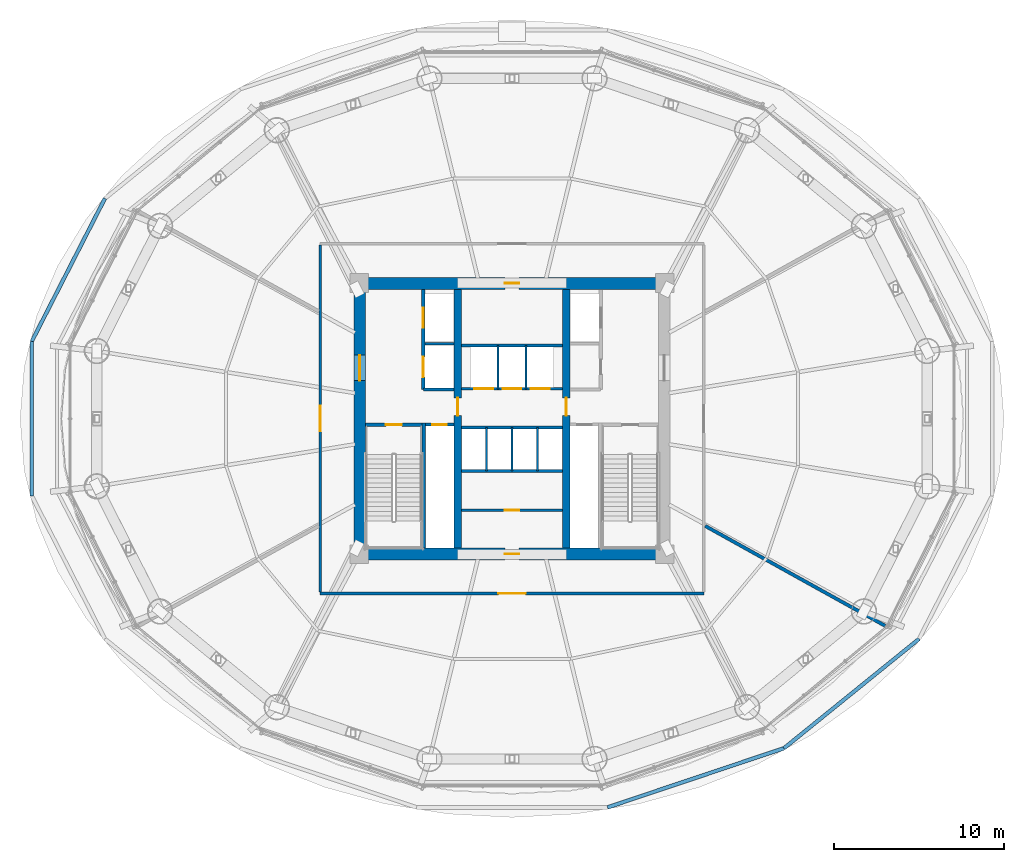
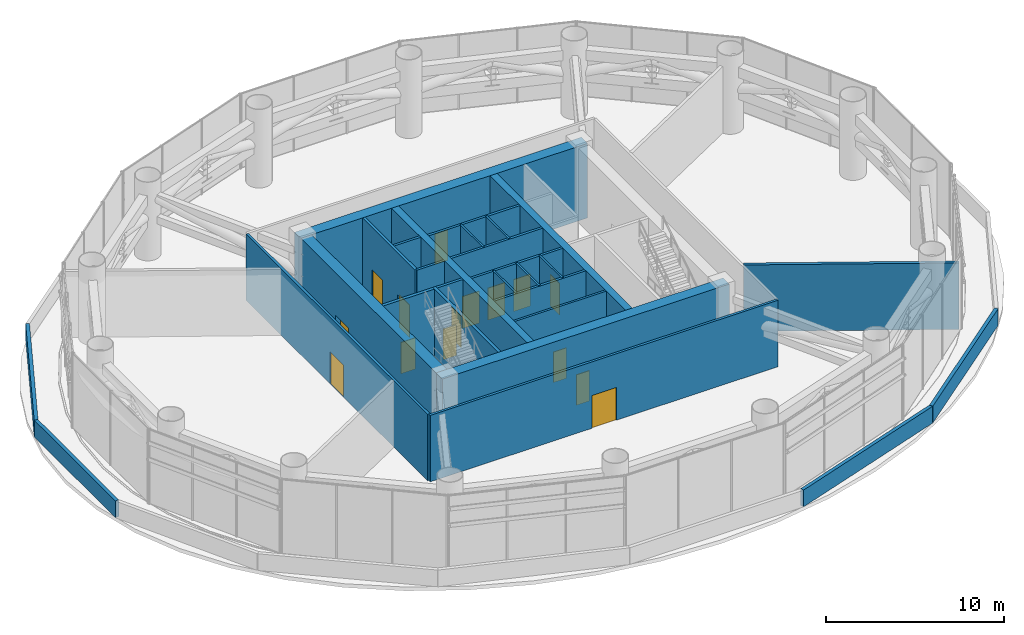
# One storey, part 28 of 33: 28 walls, 15 doors, 15 openings.
"""IFC4 building model written with IfcOpenShell, lengths in metres."""

from ifc_helpers import new_model, si_unit, direction, frame, frame_2d, origin, place, context, subcontext, project, spatial, rectangle, extrude, source, transform, mapped, material, layer, layer_set, type_object, element, fill, save


model = new_model("IFC4")

# Units and contexts
model_context = context("Model", 3, precision=1e-05, world=origin(), true_north=direction((-0.2419218956, 0.970295726276)))
body_context = subcontext(model_context, "Body", "Model", "MODEL_VIEW")
ifc_project = project(units=[si_unit("LENGTHUNIT", "METRE"), si_unit("AREAUNIT", "SQUARE_METRE"), si_unit("VOLUMEUNIT", "CUBIC_METRE"), si_unit("PLANEANGLEUNIT", "RADIAN"), si_unit("MASSUNIT", "GRAM", prefix="KILO")], contexts=[model_context])

# Site, building, storey
site_placement = place(None, origin())
site = spatial("IfcSite", under=ifc_project, at=site_placement, CompositionType="ELEMENT")
building_placement = place(site_placement, origin())
building = spatial("IfcBuilding", under=site, at=building_placement, Name="Cobrevalo Terracotta Tower", CompositionType="ELEMENT")
storey_placement = place(building_placement, frame((0.0, 0.0, 74.39990234375)))
storey = spatial("IfcBuildingStorey", under=building, at=storey_placement, Name="L19", CompositionType="ELEMENT", Elevation=74.39990234375)

# Wall, opening, door
ifc_material_1 = material(Name="Concrete C60", Category="concrete")
ifc_layer_1 = layer(ifc_material_1, 0.699951171875)
ifc_layer_set_1 = layer_set([ifc_layer_1], Name="Concrete C60")
wall_type_1 = type_object("IfcWallType", Name="Core shear wall 700 mm Concrete C60", PredefinedType="SHEAR", material=ifc_layer_set_1)
wall_1_placement = place(storey_placement, frame((28.675048828125, 18.824951171875, 0.0), z_axis=(0.0, 0.0, 1.0), x_axis=(1.0, 0.0, 0.0)))
wall_1 = element("IfcWall", 1, at=wall_1_placement, inside=storey, type_object=wall_type_1, Name="L19 south core shear wall", PredefinedType="SHEAR", context=body_context, shape_type="SweptSolid", body=[
    extrude(rectangle(XDim=18.64990234375, YDim=0.699951171875, at=frame_2d((9.324951171875, 0.0))), origin(), (0.0, 0.0, 1.0), 5.125),
])
opening_1_placement = place(wall_1_placement, frame((8.89990234375, 0.0, 0.0)))
opening_1 = element("IfcOpeningElement", 2, at=opening_1_placement, cuts=wall_1, Name="Opening ID-22", PredefinedType="OPENING", context=body_context, shape_type="SweptSolid", body=[
    extrude(rectangle(XDim=0.85009765625, YDim=2.10009765625, at=frame_2d((0.425048828125, 1.050048828125))), frame((0.0, 0.35986328125, 0.0), z_axis=(0.0, -1.0, 0.0), x_axis=(1.0, 0.0, 0.0)), (0.0, 0.0, 1.0), 0.719970703125),
])
ifc_material_2 = material(Name="Powder-coated steel", Category="steel")
door_type_1 = type_object("IfcDoorType", Name="Riser shaft & meter closet fire access door 850x2100 EI 60", OperationType="NOTDEFINED", PredefinedType="DOOR", material=ifc_material_2)
shared_shape_1 = source(origin(), body_context, "Body", "SweptSolid", [
    extrude(rectangle(XDim=0.85009765625, YDim=2.10009765625, at=frame_2d((0.425048828125, 1.050048828125))), frame((0.0, 0.02490234375, 0.0), z_axis=(0.0, -1.0, 0.0), x_axis=(1.0, 0.0, 0.0)), (0.0, 0.0, 1.0), 0.050048828125),
])
door_1_placement = place(opening_1_placement, origin())
door_1 = element("IfcDoor", 3, at=door_1_placement, inside=storey, type_object=door_type_1, Name="L19 core south plant door Smoke Extract Fan Plant", OperationType="SINGLE_SWING_RIGHT", OverallHeight=2.10009765625, OverallWidth=0.85009765625, PredefinedType="DOOR", context=body_context, shape_type="MappedRepresentation", body=[
    mapped(shared_shape_1, transform((0.0, 0.0, 0.0), scale=1.0)),
])
fill(opening_1, door_1)

wall_2_placement = place(storey_placement, frame((28.675048828125, 34.77490234375, 0.0), z_axis=(0.0, 0.0, 1.0), x_axis=(1.0, 0.0, 0.0)))
wall_2 = element("IfcWall", 4, at=wall_2_placement, inside=storey, type_object=wall_type_1, Name="L19 north core shear wall", PredefinedType="SHEAR", context=body_context, shape_type="SweptSolid", body=[
    extrude(rectangle(XDim=18.64990234375, YDim=0.699951171875, at=frame_2d((9.324951171875, 0.0))), origin(), (0.0, 0.0, 1.0), 5.125),
])
opening_2_placement = place(wall_2_placement, frame((8.89990234375, 0.0, 0.0)))
opening_2 = element("IfcOpeningElement", 5, at=opening_2_placement, cuts=wall_2, Name="Opening ID-22", PredefinedType="OPENING", context=body_context, shape_type="SweptSolid", body=[
    extrude(rectangle(XDim=0.85009765625, YDim=2.10009765625, at=frame_2d((0.425048828125, 1.050048828125))), frame((0.0, 0.35986328125, 0.0), z_axis=(0.0, -1.0, 0.0), x_axis=(1.0, 0.0, 0.0)), (0.0, 0.0, 1.0), 0.719970703125),
])
door_2_placement = place(opening_2_placement, frame((0.85009765625, 0.0, 0.0), z_axis=(0.0, 0.0, 1.0), x_axis=(-1.0, 0.0, 0.0)))
door_2 = element("IfcDoor", 6, at=door_2_placement, inside=storey, type_object=door_type_1, Name="L19 core north service door Floor Electrical Switchroom", OperationType="SINGLE_SWING_LEFT", OverallHeight=2.10009765625, OverallWidth=0.85009765625, PredefinedType="DOOR", context=body_context, shape_type="MappedRepresentation", body=[
    mapped(shared_shape_1, transform((0.0, 0.0, 0.0), scale=1.0)),
])
fill(opening_2, door_2)

wall_3_placement = place(storey_placement, frame((29.02490234375, 19.175048828125, 0.0), z_axis=(0.0, 0.0, 1.0), x_axis=(0.0, 1.0, 0.0)))
wall_3 = element("IfcWall", 7, at=wall_3_placement, inside=storey, type_object=wall_type_1, Name="L19 west core shear wall", PredefinedType="SHEAR", context=body_context, shape_type="SweptSolid", body=[
    extrude(rectangle(XDim=15.25, YDim=0.699951171875, at=frame_2d((7.625, 0.0))), origin(), (0.0, 0.0, 1.0), 5.125),
])
opening_3_placement = place(wall_3_placement, frame((9.875, 0.0, 0.0)))
opening_3 = element("IfcOpeningElement", 8, at=opening_3_placement, cuts=wall_3, Name="Opening ID-14", PredefinedType="OPENING", context=body_context, shape_type="SweptSolid", body=[
    extrude(rectangle(XDim=1.5, YDim=2.199951171875, at=frame_2d((0.75, 1.10009765625))), frame((0.0, 0.35986328125, 0.0), z_axis=(0.0, -1.0, 0.0), x_axis=(1.0, 0.0, 0.0)), (0.0, 0.0, 1.0), 0.719970703125),
])
ifc_material_3 = material(Name="Galvanized fire-rated steel", Category="steel")
door_type_2 = type_object("IfcDoorType", Name="Core cross-lobby double fire door 1500x2200 EI 90", OperationType="NOTDEFINED", PredefinedType="DOOR", material=ifc_material_3)
shared_shape_2 = source(origin(), body_context, "Body", "SweptSolid", [
    extrude(rectangle(XDim=1.5, YDim=2.199951171875, at=frame_2d((0.75, 1.10009765625))), frame((0.0, 0.02490234375, 0.0), z_axis=(0.0, -1.0, 0.0), x_axis=(1.0, 0.0, 0.0)), (0.0, 0.0, 1.0), 0.050048828125),
])
door_3_placement = place(opening_3_placement, origin())
door_3 = element("IfcDoor", 9, at=door_3_placement, inside=storey, type_object=door_type_2, Name="L19 west firefighting lobby entrance door", OperationType="DOUBLE_DOOR_SINGLE_SWING", OverallHeight=2.199951171875, OverallWidth=1.5, PredefinedType="DOOR", context=body_context, shape_type="MappedRepresentation", body=[
    mapped(shared_shape_2, transform((0.0, 0.0, 0.0), scale=1.0)),
])
fill(opening_3, door_3)

# Walls
ifc_material_4 = material(Name="Gypsum board on steel stud", Category="steel")
ifc_layer_2 = layer(ifc_material_4, 0.159912109375)
ifc_layer_set_2 = layer_set([ifc_layer_2], Name="Gypsum board on steel stud")
wall_type_2 = type_object("IfcWallType", Name="Fire-rated corridor acoustic partition wall 160 mm", PredefinedType="PARTITIONING", material=ifc_layer_set_2)
wall_4_placement = place(storey_placement, frame((32.860107421875, 31.219970703125, 0.0), z_axis=(0.0, 0.0, 1.0), x_axis=(1.0, 0.0, 0.0)))
element("IfcWall", 10, at=wall_4_placement, inside=storey, type_object=wall_type_2, Name="L19 interior partition IW-L19-FF1-M", PredefinedType="PARTITIONING", context=body_context, shape_type="SweptSolid", body=[
    extrude(rectangle(XDim=1.71484375, YDim=0.159912109375, at=frame_2d((0.857421875, 0.0))), origin(), (0.0, 0.0, 1.0), 5.125),
])
wall_5_placement = place(storey_placement, frame((32.77001953125, 28.52001953125, 0.0), z_axis=(0.0, 0.0, 1.0), x_axis=(1.0, 0.0, 0.0)))
element("IfcWall", 11, at=wall_5_placement, inside=storey, type_object=wall_type_2, Name="L19 interior partition IW-L19-FF1-S", PredefinedType="PARTITIONING", context=body_context, shape_type="SweptSolid", body=[
    extrude(rectangle(XDim=1.804931640625, YDim=0.159912109375, at=frame_2d((0.90234375, 0.0))), origin(), (0.0, 0.0, 1.0), 5.125),
])

# Wall, openings, doors
wall_6_placement = place(storey_placement, frame((35.02490234375, 28.56005859375, 0.0), z_axis=(0.0, 0.0, 1.0), x_axis=(1.0, 0.0, 0.0)))
wall_6 = element("IfcWall", 12, at=wall_6_placement, inside=storey, type_object=wall_type_2, Name="L19 interior partition IW-L19-LB-S", PredefinedType="PARTITIONING", context=body_context, shape_type="SweptSolid", body=[
    extrude(rectangle(XDim=5.9501953125, YDim=0.159912109375, at=frame_2d((2.97509765625, 0.0))), origin(), (0.0, 0.0, 1.0), 5.125),
])
opening_4_placement = place(wall_6_placement, frame((0.760009765625, 0.0, 0.0)))
opening_4 = element("IfcOpeningElement", 13, at=opening_4_placement, cuts=wall_6, Name="Opening LD-01", PredefinedType="OPENING", context=body_context, shape_type="SweptSolid", body=[
    extrude(rectangle(XDim=1.10009765625, YDim=2.199951171875, at=frame_2d((0.550048828125, 1.10009765625))), frame((0.0, 0.08984375, 0.0), z_axis=(0.0, -1.0, 0.0), x_axis=(1.0, 0.0, 0.0)), (0.0, 0.0, 1.0), 0.179931640625),
])
opening_5_placement = place(wall_6_placement, frame((2.425048828125, 0.0, 0.0)))
opening_5 = element("IfcOpeningElement", 14, at=opening_5_placement, cuts=wall_6, Name="Opening LD-01", PredefinedType="OPENING", context=body_context, shape_type="SweptSolid", body=[
    extrude(rectangle(XDim=1.10009765625, YDim=2.199951171875, at=frame_2d((0.550048828125, 1.10009765625))), frame((0.0, 0.08984375, 0.0), z_axis=(0.0, -1.0, 0.0), x_axis=(1.0, 0.0, 0.0)), (0.0, 0.0, 1.0), 0.179931640625),
])
opening_6_placement = place(wall_6_placement, frame((4.090087890625, 0.0, 0.0)))
opening_6 = element("IfcOpeningElement", 15, at=opening_6_placement, cuts=wall_6, Name="Opening LD-01", PredefinedType="OPENING", context=body_context, shape_type="SweptSolid", body=[
    extrude(rectangle(XDim=1.10009765625, YDim=2.199951171875, at=frame_2d((0.550048828125, 1.10009765625))), frame((0.0, 0.08984375, 0.0), z_axis=(0.0, -1.0, 0.0), x_axis=(1.0, 0.0, 0.0)), (0.0, 0.0, 1.0), 0.179931640625),
])
ifc_material_5 = material(Name="Brushed stainless steel", Category="steel")
door_type_3 = type_object("IfcDoorType", Name="Passenger lift landing bi-parting sliding door 1100x2200 EI 90", OperationType="DOUBLE_DOOR_SLIDING", PredefinedType="DOOR", material=ifc_material_5)
shared_shape_3 = source(origin(), body_context, "Body", "SweptSolid", [
    extrude(rectangle(XDim=1.10009765625, YDim=2.199951171875, at=frame_2d((0.550048828125, 1.10009765625))), frame((0.0, 0.02490234375, 0.0), z_axis=(0.0, -1.0, 0.0), x_axis=(1.0, 0.0, 0.0)), (0.0, 0.0, 1.0), 0.050048828125),
])
door_4_placement = place(opening_4_placement, origin())
door_4 = element("IfcDoor", 16, at=door_4_placement, inside=storey, type_object=door_type_3, Name="L19 lift landing door PL-L1", OperationType="DOUBLE_DOOR_SLIDING", OverallHeight=2.199951171875, OverallWidth=1.10009765625, PredefinedType="DOOR", context=body_context, shape_type="MappedRepresentation", body=[
    mapped(shared_shape_3, transform((0.0, 0.0, 0.0), scale=1.0)),
])
fill(opening_4, door_4)
door_5_placement = place(opening_5_placement, origin())
door_5 = element("IfcDoor", 17, at=door_5_placement, inside=storey, type_object=door_type_3, Name="L19 lift landing door PL-L2", OperationType="DOUBLE_DOOR_SLIDING", OverallHeight=2.199951171875, OverallWidth=1.10009765625, PredefinedType="DOOR", context=body_context, shape_type="MappedRepresentation", body=[
    mapped(shared_shape_3, transform((0.0, 0.0, 0.0), scale=1.0)),
])
fill(opening_5, door_5)
door_6_placement = place(opening_6_placement, origin())
door_6 = element("IfcDoor", 18, at=door_6_placement, inside=storey, type_object=door_type_3, Name="L19 lift landing door PL-L3", OperationType="DOUBLE_DOOR_SLIDING", OverallHeight=2.199951171875, OverallWidth=1.10009765625, PredefinedType="DOOR", context=body_context, shape_type="MappedRepresentation", body=[
    mapped(shared_shape_3, transform((0.0, 0.0, 0.0), scale=1.0)),
])
fill(opening_6, door_6)

# Walls
for number, where, z_axis, x_axis, name in (
    (19, (35.02490234375, 31.1201171875, 0.0), (0.0, 0.0, 1.0), (1.0, 0.0, 0.0), "L19 interior partition IW-L19-LB-N"),
    (20, (35.02490234375, 26.280029296875, 0.0), (0.0, 0.0, 1.0), (1.0, 0.0, 0.0), "L19 interior partition IW-L19-MB-N"),
    (21, (35.02490234375, 23.719970703125, 0.0), (0.0, 0.0, 1.0), (1.0, 0.0, 0.0), "L19 interior partition IW-L19-MB-S"),
):
    element("IfcWall", number, at=place(storey_placement, frame(where, z_axis=z_axis, x_axis=x_axis)), inside=storey, type_object=wall_type_2, Name=name, PredefinedType="PARTITIONING", context=body_context, shape_type="SweptSolid", body=[
        extrude(rectangle(XDim=5.9501953125, YDim=0.159912109375, at=frame_2d((2.97509765625, 0.0))), origin(), (0.0, 0.0, 1.0), 5.125),
    ])

# Wall, opening, door
wall_7_placement = place(storey_placement, frame((26.695068359375, 16.4951171875, 0.0), z_axis=(0.0, 0.0, 1.0), x_axis=(1.0, 0.0, 0.0)))
wall_7 = element("IfcWall", 22, at=wall_7_placement, inside=storey, type_object=wall_type_2, Name="L19 interior partition IW-L19-COR-S", PredefinedType="PARTITIONING", context=body_context, shape_type="SweptSolid", body=[
    extrude(rectangle(XDim=22.60986328125, YDim=0.159912109375, at=frame_2d((11.304931640625, 0.0))), origin(), (0.0, 0.0, 1.0), 4.567138671875),
])
opening_7_placement = place(wall_7_placement, frame((10.5048828125, 0.0, 0.0)))
opening_7 = element("IfcOpeningElement", 23, at=opening_7_placement, cuts=wall_7, Name="Opening ID-06", PredefinedType="OPENING", context=body_context, shape_type="SweptSolid", body=[
    extrude(rectangle(XDim=1.60009765625, YDim=2.25, at=frame_2d((0.800048828125, 1.125))), frame((0.0, 0.08984375, 0.0), z_axis=(0.0, -1.0, 0.0), x_axis=(1.0, 0.0, 0.0)), (0.0, 0.0, 1.0), 0.179931640625),
])
door_type_4 = type_object("IfcDoorType", Name="Plant & mechanical room double fire door 1600x2250 EI 90", OperationType="NOTDEFINED", PredefinedType="DOOR", material=ifc_material_3)
shared_shape_4 = source(origin(), body_context, "Body", "SweptSolid", [
    extrude(rectangle(XDim=1.60009765625, YDim=2.25, at=frame_2d((0.800048828125, 1.125))), frame((0.0, 0.02490234375, 0.0), z_axis=(0.0, -1.0, 0.0), x_axis=(1.0, 0.0, 0.0)), (0.0, 0.0, 1.0), 0.050048828125),
])
door_7_placement = place(opening_7_placement, origin())
door_7 = element("IfcDoor", 24, at=door_7_placement, inside=storey, type_object=door_type_4, Name="L19 Belt-Truss AHU Plant Room South door", OperationType="DOUBLE_DOOR_SINGLE_SWING", OverallHeight=2.25, OverallWidth=1.60009765625, PredefinedType="DOOR", context=body_context, shape_type="MappedRepresentation", body=[
    mapped(shared_shape_4, transform((0.0, 0.0, 0.0), scale=1.0)),
])
fill(opening_7, door_7)

wall_8_placement = place(storey_placement, frame((26.695068359375, 16.574951171875, 0.0), z_axis=(0.0, 0.0, 1.0), x_axis=(0.0, 1.0, 0.0)))
wall_8 = element("IfcWall", 25, at=wall_8_placement, inside=storey, type_object=wall_type_2, Name="L19 interior partition IW-L19-COR-W", PredefinedType="PARTITIONING", context=body_context, shape_type="SweptSolid", body=[
    extrude(rectangle(XDim=20.449951171875, YDim=0.159912109375, at=frame_2d((10.22509765625, 0.0))), origin(), (0.0, 0.0, 1.0), 4.567138671875),
])
opening_8_placement = place(wall_8_placement, frame((9.47509765625, 0.0, 0.0)))
opening_8 = element("IfcOpeningElement", 26, at=opening_8_placement, cuts=wall_8, Name="Opening ID-14", PredefinedType="OPENING", context=body_context, shape_type="SweptSolid", body=[
    extrude(rectangle(XDim=1.5, YDim=2.199951171875, at=frame_2d((0.75, 1.10009765625))), frame((0.0, 0.08984375, 0.0), z_axis=(0.0, -1.0, 0.0), x_axis=(1.0, 0.0, 0.0)), (0.0, 0.0, 1.0), 0.179931640625),
])
door_8_placement = place(opening_8_placement, frame((1.5, 0.0, 0.0), z_axis=(0.0, 0.0, 1.0), x_axis=(-1.0, 0.0, 0.0)))
door_8 = element("IfcDoor", 27, at=door_8_placement, inside=storey, type_object=door_type_2, Name="L19 Pressurized Fire Refuge Area door", OperationType="DOUBLE_DOOR_SINGLE_SWING", OverallHeight=2.199951171875, OverallWidth=1.5, PredefinedType="DOOR", context=body_context, shape_type="MappedRepresentation", body=[
    mapped(shared_shape_2, transform((0.0, 0.0, 0.0), scale=1.0)),
])
fill(opening_8, door_8)

ifc_layer_3 = layer(ifc_material_4, 0.179931640625)
ifc_layer_set_3 = layer_set([ifc_layer_3], Name="Gypsum board on steel stud")
wall_type_3 = type_object("IfcWallType", Name="Fire-rated shaft & lobby acoustic partition wall 180 mm", PredefinedType="PARTITIONING", material=ifc_layer_set_3)
wall_9_placement = place(storey_placement, frame((32.89990234375, 26.449951171875, 0.0), z_axis=(0.0, 0.0, 1.0), x_axis=(1.0, 0.0, 0.0)))
wall_9 = element("IfcWall", 28, at=wall_9_placement, inside=storey, type_object=wall_type_3, Name="L19 interior partition IW-L19-RSW-N", PredefinedType="PARTITIONING", context=body_context, shape_type="SweptSolid", body=[
    extrude(rectangle(XDim=1.675048828125, YDim=0.179931640625, at=frame_2d((0.83740234375, 0.0))), origin(), (0.0, 0.0, 1.0), 5.125),
])
opening_9_placement = place(wall_9_placement, frame((0.41259765625, 0.0, 0.0)))
opening_9 = element("IfcOpeningElement", 29, at=opening_9_placement, cuts=wall_9, Name="Opening ID-22", PredefinedType="OPENING", context=body_context, shape_type="SweptSolid", body=[
    extrude(rectangle(XDim=0.85009765625, YDim=2.10009765625, at=frame_2d((0.425048828125, 1.050048828125))), frame((0.0, 0.10009765625, 0.0), z_axis=(0.0, -1.0, 0.0), x_axis=(1.0, 0.0, 0.0)), (0.0, 0.0, 1.0), 0.199951171875),
])
door_9_placement = place(opening_9_placement, origin())
door_9 = element("IfcDoor", 30, at=door_9_placement, inside=storey, type_object=door_type_1, Name="L19 riser access door RSW", OperationType="SINGLE_SWING_LEFT", OverallHeight=2.10009765625, OverallWidth=0.85009765625, PredefinedType="DOOR", context=body_context, shape_type="MappedRepresentation", body=[
    mapped(shared_shape_1, transform((0.0, 0.0, 0.0), scale=1.0)),
])
fill(opening_9, door_9)

# Wall, openings, doors
wall_10_placement = place(storey_placement, frame((32.77001953125, 28.52001953125, 0.0), z_axis=(0.0, 0.0, 1.0), x_axis=(0.0, 1.0, 0.0)))
wall_10 = element("IfcWall", 31, at=wall_10_placement, inside=storey, type_object=wall_type_3, Name="L19 interior partition IW-L19-FF1-W", PredefinedType="PARTITIONING", context=body_context, shape_type="SweptSolid", body=[
    extrude(rectangle(XDim=5.905029296875, YDim=0.179931640625, at=frame_2d((2.95263671875, 0.0))), origin(), (0.0, 0.0, 1.0), 5.125),
])
opening_10_placement = place(wall_10_placement, frame((3.655029296875, 0.0, 0.0)))
opening_10 = element("IfcOpeningElement", 32, at=opening_10_placement, cuts=wall_10, Name="Opening LD-02", PredefinedType="OPENING", context=body_context, shape_type="SweptSolid", body=[
    extrude(rectangle(XDim=1.14990234375, YDim=2.199951171875, at=frame_2d((0.574951171875, 1.10009765625))), frame((0.0, 0.10009765625, 0.0), z_axis=(0.0, -1.0, 0.0), x_axis=(1.0, 0.0, 0.0)), (0.0, 0.0, 1.0), 0.199951171875),
])
opening_11_placement = place(wall_10_placement, frame((0.72998046875, 0.0, 0.0)))
opening_11 = element("IfcOpeningElement", 33, at=opening_11_placement, cuts=wall_10, Name="Opening LD-03", PredefinedType="OPENING", context=body_context, shape_type="SweptSolid", body=[
    extrude(rectangle(XDim=1.199951171875, YDim=2.25, at=frame_2d((0.60009765625, 1.125))), frame((0.0, 0.10009765625, 0.0), z_axis=(0.0, -1.0, 0.0), x_axis=(1.0, 0.0, 0.0)), (0.0, 0.0, 1.0), 0.199951171875),
])
door_type_5 = type_object("IfcDoorType", Name="Firefighting lift landing bi-parting sliding door 1150x2200 EI 120", OperationType="DOUBLE_DOOR_SLIDING", PredefinedType="DOOR", material=ifc_material_5)
shared_shape_5 = source(origin(), body_context, "Body", "SweptSolid", [
    extrude(rectangle(XDim=1.14990234375, YDim=2.199951171875, at=frame_2d((0.574951171875, 1.10009765625))), frame((0.0, 0.02490234375, 0.0), z_axis=(0.0, -1.0, 0.0), x_axis=(1.0, 0.0, 0.0)), (0.0, 0.0, 1.0), 0.050048828125),
])
door_10_placement = place(opening_10_placement, origin())
door_10 = element("IfcDoor", 34, at=door_10_placement, inside=storey, type_object=door_type_5, Name="L19 lift landing door FF-1", OperationType="DOUBLE_DOOR_SLIDING", OverallHeight=2.199951171875, OverallWidth=1.14990234375, PredefinedType="DOOR", context=body_context, shape_type="MappedRepresentation", body=[
    mapped(shared_shape_5, transform((0.0, 0.0, 0.0), scale=1.0)),
])
fill(opening_10, door_10)
door_type_6 = type_object("IfcDoorType", Name="Service lift landing bi-parting sliding door 1200x2250 EI 120", OperationType="DOUBLE_DOOR_SLIDING", PredefinedType="DOOR", material=ifc_material_5)
shared_shape_6 = source(origin(), body_context, "Body", "SweptSolid", [
    extrude(rectangle(XDim=1.199951171875, YDim=2.25, at=frame_2d((0.60009765625, 1.125))), frame((0.0, 0.02490234375, 0.0), z_axis=(0.0, -1.0, 0.0), x_axis=(1.0, 0.0, 0.0)), (0.0, 0.0, 1.0), 0.050048828125),
])
door_11_placement = place(opening_11_placement, origin())
door_11 = element("IfcDoor", 35, at=door_11_placement, inside=storey, type_object=door_type_6, Name="L19 lift landing door SV-1", OperationType="DOUBLE_DOOR_SLIDING", OverallHeight=2.25, OverallWidth=1.199951171875, PredefinedType="DOOR", context=body_context, shape_type="MappedRepresentation", body=[
    mapped(shared_shape_6, transform((0.0, 0.0, 0.0), scale=1.0)),
])
fill(opening_11, door_11)

# Walls
ifc_material_6 = material(Name="Autoclaved aerated concrete block", Category="concrete")
ifc_layer_4 = layer(ifc_material_6, 0.199951171875)
ifc_layer_set_4 = layer_set([ifc_layer_4], Name="Autoclaved aerated concrete block")
wall_type_4 = type_object("IfcWallType", Name="Fire-rated stair, shaft & demising masonry wall 200 mm", PredefinedType="PARTITIONING", material=ifc_layer_set_4)
wall_11_placement = place(storey_placement, frame((49.38671875, 20.478759765625, 0.0), z_axis=(0.0, 0.0, 1.0), x_axis=(0.874314722833, -0.48535941882, 0.0)))
element("IfcWall", 36, at=wall_11_placement, inside=storey, type_object=wall_type_4, Name="L19 interior partition IW-L19-PW3", PredefinedType="PARTITIONING", context=body_context, shape_type="SweptSolid", body=[
    extrude(rectangle(XDim=12.13818359375, YDim=0.199951171875, at=frame_2d((6.069091796875, 0.0))), origin(), (0.0, 0.0, 1.0), 4.567138671875),
])
ifc_layer_5 = layer(ifc_material_6, 0.1201171875)
ifc_layer_set_5 = layer_set([ifc_layer_5], Name="Autoclaved aerated concrete block")
wall_type_5 = type_object("IfcWallType", Name="Fire-rated wet-room & core service partition 120 mm", PredefinedType="PARTITIONING", material=ifc_layer_set_5)
for number, where, z_axis, x_axis, name in (
    (37, (37.169921875, 28.56005859375, 0.0), (0.0, 0.0, 1.0), (0.0, 1.0, 0.0), "L19 interior partition IW-L19-LB-D1"),
    (38, (38.830078125, 28.56005859375, 0.0), (0.0, 0.0, 1.0), (0.0, 1.0, 0.0), "L19 interior partition IW-L19-LB-D2"),
    (39, (36.5, 23.719970703125, 0.0), (0.0, 0.0, 1.0), (0.0, 1.0, 0.0), "L19 interior partition IW-L19-MB-D1"),
    (40, (39.5, 23.719970703125, 0.0), (0.0, 0.0, 1.0), (0.0, 1.0, 0.0), "L19 interior partition IW-L19-MB-D3"),
):
    element("IfcWall", number, at=place(storey_placement, frame(where, z_axis=z_axis, x_axis=x_axis)), inside=storey, type_object=wall_type_5, Name=name, PredefinedType="PARTITIONING", context=body_context, shape_type="SweptSolid", body=[
        extrude(rectangle(XDim=2.56005859375, YDim=0.1201171875, at=frame_2d((1.280029296875, 0.0))), origin(), (0.0, 0.0, 1.0), 5.125),
    ])

# Wall, opening, door
ifc_material_7 = material(Name="Concrete C55", Category="concrete")
ifc_layer_6 = layer(ifc_material_7, 0.449951171875)
ifc_layer_set_6 = layer_set([ifc_layer_6], Name="Concrete C55")
wall_type_6 = type_object("IfcWallType", Name="Internal core shear web wall 450 mm Concrete C55", PredefinedType="SHEAR", material=ifc_layer_set_6)
wall_12_placement = place(storey_placement, frame((34.800048828125, 19.175048828125, 0.0), z_axis=(0.0, 0.0, 1.0), x_axis=(0.0, 1.0, 0.0)))
wall_12 = element("IfcWall", 41, at=wall_12_placement, inside=storey, type_object=wall_type_6, Name="L19 internal core shear wall WEB-W", PredefinedType="SHEAR", context=body_context, shape_type="SweptSolid", body=[
    extrude(rectangle(XDim=15.25, YDim=0.449951171875, at=frame_2d((7.625, 0.0))), origin(), (0.0, 0.0, 1.0), 5.125),
])
opening_12_placement = place(wall_12_placement, frame((7.800048828125, 0.0, 0.0)))
opening_12 = element("IfcOpeningElement", 42, at=opening_12_placement, cuts=wall_12, Name="Opening ID-11", PredefinedType="OPENING", context=body_context, shape_type="SweptSolid", body=[
    extrude(rectangle(XDim=1.050048828125, YDim=2.14990234375, at=frame_2d((0.52490234375, 1.074951171875))), frame((0.0, 0.23486328125, 0.0), z_axis=(0.0, -1.0, 0.0), x_axis=(1.0, 0.0, 0.0)), (0.0, 0.0, 1.0), 0.469970703125),
])
door_type_7 = type_object("IfcDoorType", Name="Core concourse cross fire door 1050x2150 EI 90", OperationType="NOTDEFINED", PredefinedType="DOOR", material=ifc_material_3)
shared_shape_7 = source(origin(), body_context, "Body", "SweptSolid", [
    extrude(rectangle(XDim=1.050048828125, YDim=2.14990234375, at=frame_2d((0.52490234375, 1.074951171875))), frame((0.0, 0.02490234375, 0.0), z_axis=(0.0, -1.0, 0.0), x_axis=(1.0, 0.0, 0.0)), (0.0, 0.0, 1.0), 0.050048828125),
])
door_12_placement = place(opening_12_placement, origin())
door_12 = element("IfcDoor", 43, at=door_12_placement, inside=storey, type_object=door_type_7, Name="L19 west core concourse cross door", OperationType="SINGLE_SWING_LEFT", OverallHeight=2.14990234375, OverallWidth=1.050048828125, PredefinedType="DOOR", context=body_context, shape_type="MappedRepresentation", body=[
    mapped(shared_shape_7, transform((0.0, 0.0, 0.0), scale=1.0)),
])
fill(opening_12, door_12)

wall_13_placement = place(storey_placement, frame((41.199951171875, 19.175048828125, 0.0), z_axis=(0.0, 0.0, 1.0), x_axis=(0.0, 1.0, 0.0)))
wall_13 = element("IfcWall", 44, at=wall_13_placement, inside=storey, type_object=wall_type_6, Name="L19 internal core shear wall WEB-E", PredefinedType="SHEAR", context=body_context, shape_type="SweptSolid", body=[
    extrude(rectangle(XDim=15.25, YDim=0.449951171875, at=frame_2d((7.625, 0.0))), origin(), (0.0, 0.0, 1.0), 5.125),
])
opening_13_placement = place(wall_13_placement, frame((7.800048828125, 0.0, 0.0)))
opening_13 = element("IfcOpeningElement", 45, at=opening_13_placement, cuts=wall_13, Name="Opening ID-11", PredefinedType="OPENING", context=body_context, shape_type="SweptSolid", body=[
    extrude(rectangle(XDim=1.050048828125, YDim=2.14990234375, at=frame_2d((0.52490234375, 1.074951171875))), frame((0.0, 0.23486328125, 0.0), z_axis=(0.0, -1.0, 0.0), x_axis=(1.0, 0.0, 0.0)), (0.0, 0.0, 1.0), 0.469970703125),
])
door_13_placement = place(opening_13_placement, frame((1.050048828125, 0.0, 0.0), z_axis=(0.0, 0.0, 1.0), x_axis=(-1.0, 0.0, 0.0)))
door_13 = element("IfcDoor", 46, at=door_13_placement, inside=storey, type_object=door_type_7, Name="L19 east core concourse cross door", OperationType="SINGLE_SWING_RIGHT", OverallHeight=2.14990234375, OverallWidth=1.050048828125, PredefinedType="DOOR", context=body_context, shape_type="MappedRepresentation", body=[
    mapped(shared_shape_7, transform((0.0, 0.0, 0.0), scale=1.0)),
])
fill(opening_13, door_13)

# Wall
ifc_layer_7 = layer(ifc_material_6, 0.139892578125)
ifc_layer_set_7 = layer_set([ifc_layer_7], Name="Autoclaved aerated concrete block")
wall_type_7 = type_object("IfcWallType", Name="Moisture-resistant wet-room & core service partition 140 mm", PredefinedType="PARTITIONING", material=ifc_layer_set_7)
wall_14_placement = place(storey_placement, frame((38.0, 23.719970703125, 0.0), z_axis=(0.0, 0.0, 1.0), x_axis=(0.0, 1.0, 0.0)))
element("IfcWall", 47, at=wall_14_placement, inside=storey, type_object=wall_type_7, Name="L19 interior partition IW-L19-MB-D2", PredefinedType="PARTITIONING", context=body_context, shape_type="SweptSolid", body=[
    extrude(rectangle(XDim=2.56005859375, YDim=0.139892578125, at=frame_2d((1.280029296875, 0.0))), origin(), (0.0, 0.0, 1.0), 5.125),
])

# Wall, opening, door
wall_15_placement = place(storey_placement, frame((35.02490234375, 21.407470703125, 0.0), z_axis=(0.0, 0.0, 1.0), x_axis=(1.0, 0.0, 0.0)))
wall_15 = element("IfcWall", 48, at=wall_15_placement, inside=storey, type_object=wall_type_7, Name="L19 interior partition IW-L19-KVS-H", PredefinedType="PARTITIONING", context=body_context, shape_type="SweptSolid", body=[
    extrude(rectangle(XDim=5.9501953125, YDim=0.139892578125, at=frame_2d((2.97509765625, 0.0))), origin(), (0.0, 0.0, 1.0), 5.125),
])
opening_14_placement = place(wall_15_placement, frame((2.550048828125, 0.0, 0.0)))
opening_14 = element("IfcOpeningElement", 49, at=opening_14_placement, cuts=wall_15, Name="Opening ID-22", PredefinedType="OPENING", context=body_context, shape_type="SweptSolid", body=[
    extrude(rectangle(XDim=0.85009765625, YDim=2.10009765625, at=frame_2d((0.425048828125, 1.050048828125))), frame((0.0, 0.080078125, 0.0), z_axis=(0.0, -1.0, 0.0), x_axis=(1.0, 0.0, 0.0)), (0.0, 0.0, 1.0), 0.159912109375),
])
door_14_placement = place(opening_14_placement, origin())
door_14 = element("IfcDoor", 50, at=door_14_placement, inside=storey, type_object=door_type_1, Name="L19 core manifold inner door", OperationType="SINGLE_SWING_LEFT", OverallHeight=2.10009765625, OverallWidth=0.85009765625, PredefinedType="DOOR", context=body_context, shape_type="MappedRepresentation", body=[
    mapped(shared_shape_1, transform((0.0, 0.0, 0.0), scale=1.0)),
])
fill(opening_14, door_14)

# Walls
ifc_material_8 = material(Name="Precast concrete C45", Category="concrete")
ifc_layer_8 = layer(ifc_material_8, 0.219970703125)
ifc_layer_set_8 = layer_set([ifc_layer_8], Name="Precast concrete C45")
wall_type_8 = type_object("IfcWallType", Name="Precast concrete roof and setback terrace parapet wall 220 mm", PredefinedType="PARAPET", material=ifc_layer_set_8)
wall_16_placement = place(storey_placement, frame((14.00390625, 39.778076171875, 0.0), z_axis=(0.0, 0.0, 1.0), x_axis=(-0.455566661308, -0.890201672153, 0.0)))
element("IfcWall", 51, at=wall_16_placement, inside=storey, type_object=wall_type_8, Name="L19 setback roof concrete parapet 07", PredefinedType="PARAPET", context=body_context, shape_type="SweptSolid", body=[
    extrude(rectangle(XDim=9.459228515625, YDim=0.219970703125, at=frame_2d((4.7294921875, 0.0))), origin(), (0.0, 0.0, 1.0), 1.150146484375),
])
wall_17_placement = place(storey_placement, frame((9.694580078125, 31.357421875, 0.0), z_axis=(0.0, 0.0, 1.0), x_axis=(0.0, -1.0, 0.0)))
element("IfcWall", 52, at=wall_17_placement, inside=storey, type_object=wall_type_8, Name="L19 setback roof concrete parapet 08", PredefinedType="PARAPET", context=body_context, shape_type="SweptSolid", body=[
    extrude(rectangle(XDim=9.11474609375, YDim=0.219970703125, at=frame_2d((4.557373046875, 0.0))), origin(), (0.0, 0.0, 1.0), 1.150146484375),
])
wall_18_placement = place(storey_placement, frame((43.63037109375, 3.888916015625, 0.0), z_axis=(0.0, 0.0, 1.0), x_axis=(0.948127810737, 0.317889374636, 0.0)))
element("IfcWall", 53, at=wall_18_placement, inside=storey, type_object=wall_type_8, Name="L19 setback roof concrete parapet 13", PredefinedType="PARAPET", context=body_context, shape_type="SweptSolid", body=[
    extrude(rectangle(XDim=10.972412109375, YDim=0.219970703125, at=frame_2d((5.486328125, 0.0))), origin(), (0.0, 0.0, 1.0), 1.150146484375),
])
wall_19_placement = place(storey_placement, frame((54.03369140625, 7.376953125, 0.0), z_axis=(0.0, 0.0, 1.0), x_axis=(0.777289269967, 0.629143378567, 0.0)))
element("IfcWall", 54, at=wall_19_placement, inside=storey, type_object=wall_type_8, Name="L19 setback roof concrete parapet 14", PredefinedType="PARAPET", context=body_context, shape_type="SweptSolid", body=[
    extrude(rectangle(XDim=10.243896484375, YDim=0.219970703125, at=frame_2d((5.1220703125, 0.0))), origin(), (0.0, 0.0, 1.0), 1.150146484375),
])
ifc_material_9 = material(Name="Concrete C50", Category="concrete")
ifc_layer_9 = layer(ifc_material_9, 0.199951171875)
ifc_layer_set_9 = layer_set([ifc_layer_9], Name="Concrete C50")
wall_type_9 = type_object("IfcWallType", Name="Structural core & podium stair-shaft RC wall 200 mm Concrete C50", PredefinedType="SOLIDWALL", material=ifc_layer_set_9)
wall_20_placement = place(storey_placement, frame((32.794921875, 19.175048828125, 0.0), z_axis=(0.0, 0.0, 1.0), x_axis=(0.0, 1.0, 0.0)))
element("IfcWall", 55, at=wall_20_placement, inside=storey, type_object=wall_type_9, Name="L19 ST-1 east structural shaft wall", PredefinedType="SOLIDWALL", context=body_context, shape_type="SweptSolid", body=[
    extrude(rectangle(XDim=7.375, YDim=0.199951171875, at=frame_2d((3.6875, 0.0))), origin(), (0.0, 0.0, 1.0), 5.125),
])

# Wall, opening, door
wall_21_placement = place(storey_placement, frame((29.375, 26.449951171875, 0.0), z_axis=(0.0, 0.0, 1.0), x_axis=(1.0, 0.0, 0.0)))
wall_21 = element("IfcWall", 56, at=wall_21_placement, inside=storey, type_object=wall_type_9, Name="L19 ST-1 north structural shaft wall", PredefinedType="SOLIDWALL", context=body_context, shape_type="SweptSolid", body=[
    extrude(rectangle(XDim=3.320068359375, YDim=0.199951171875, at=frame_2d((1.66015625, 0.0))), origin(), (0.0, 0.0, 1.0), 5.125),
])
opening_15_placement = place(wall_21_placement, frame((1.18505859375, 0.0, 0.0)))
opening_15 = element("IfcOpeningElement", 57, at=opening_15_placement, cuts=wall_21, Name="Opening ID-04", PredefinedType="OPENING", context=body_context, shape_type="SweptSolid", body=[
    extrude(rectangle(XDim=0.949951171875, YDim=2.14990234375, at=frame_2d((0.47509765625, 1.074951171875))), frame((0.0, 0.10986328125, 0.0), z_axis=(0.0, -1.0, 0.0), x_axis=(1.0, 0.0, 0.0)), (0.0, 0.0, 1.0), 0.219970703125),
])
door_type_8 = type_object("IfcDoorType", Name="Stair & firefighting lobby fire door 950x2150 EI 90", OperationType="NOTDEFINED", PredefinedType="DOOR", material=ifc_material_3)
shared_shape_8 = source(origin(), body_context, "Body", "SweptSolid", [
    extrude(rectangle(XDim=0.949951171875, YDim=2.14990234375, at=frame_2d((0.47509765625, 1.074951171875))), frame((0.0, 0.02490234375, 0.0), z_axis=(0.0, -1.0, 0.0), x_axis=(1.0, 0.0, 0.0)), (0.0, 0.0, 1.0), 0.050048828125),
])
door_15_placement = place(opening_15_placement, origin())
door_15 = element("IfcDoor", 58, at=door_15_placement, inside=storey, type_object=door_type_8, Name="L19 protected stair ST1 fire door", OperationType="SINGLE_SWING_LEFT", OverallHeight=2.14990234375, OverallWidth=0.949951171875, PredefinedType="DOOR", context=body_context, shape_type="MappedRepresentation", body=[
    mapped(shared_shape_8, transform((0.0, 0.0, 0.0), scale=1.0)),
])
fill(opening_15, door_15)

save(model, "model.ifc")
